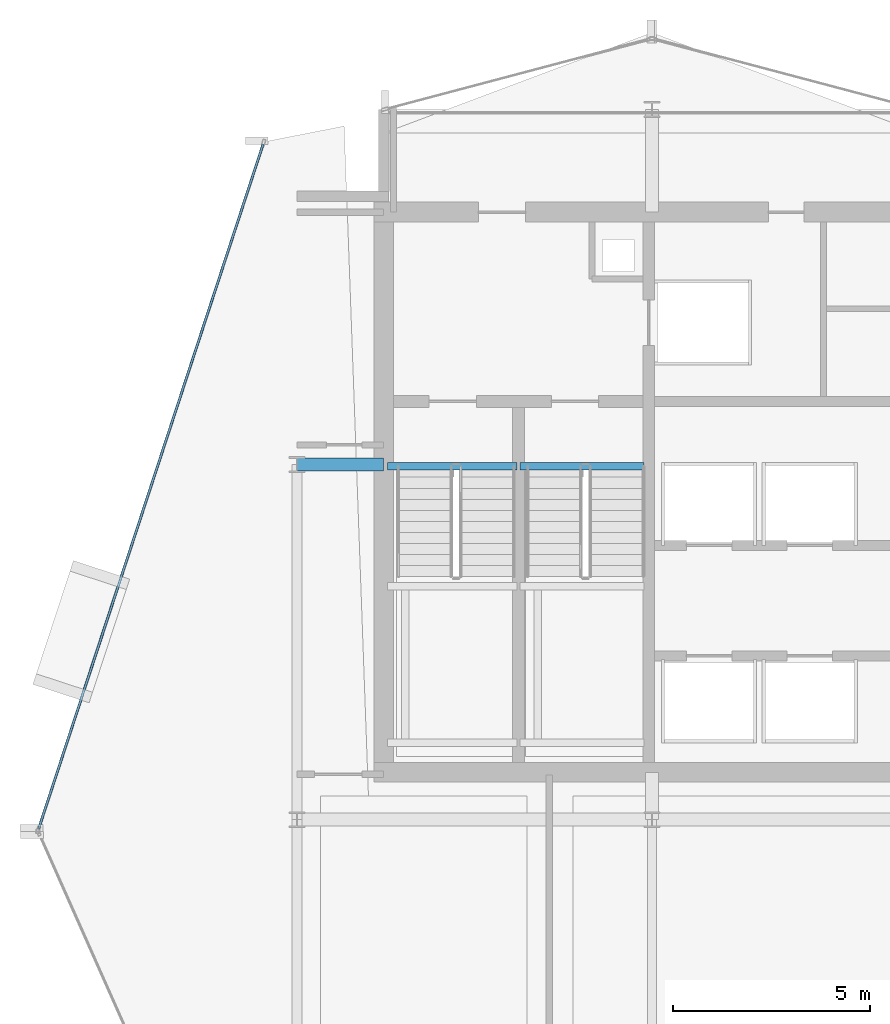
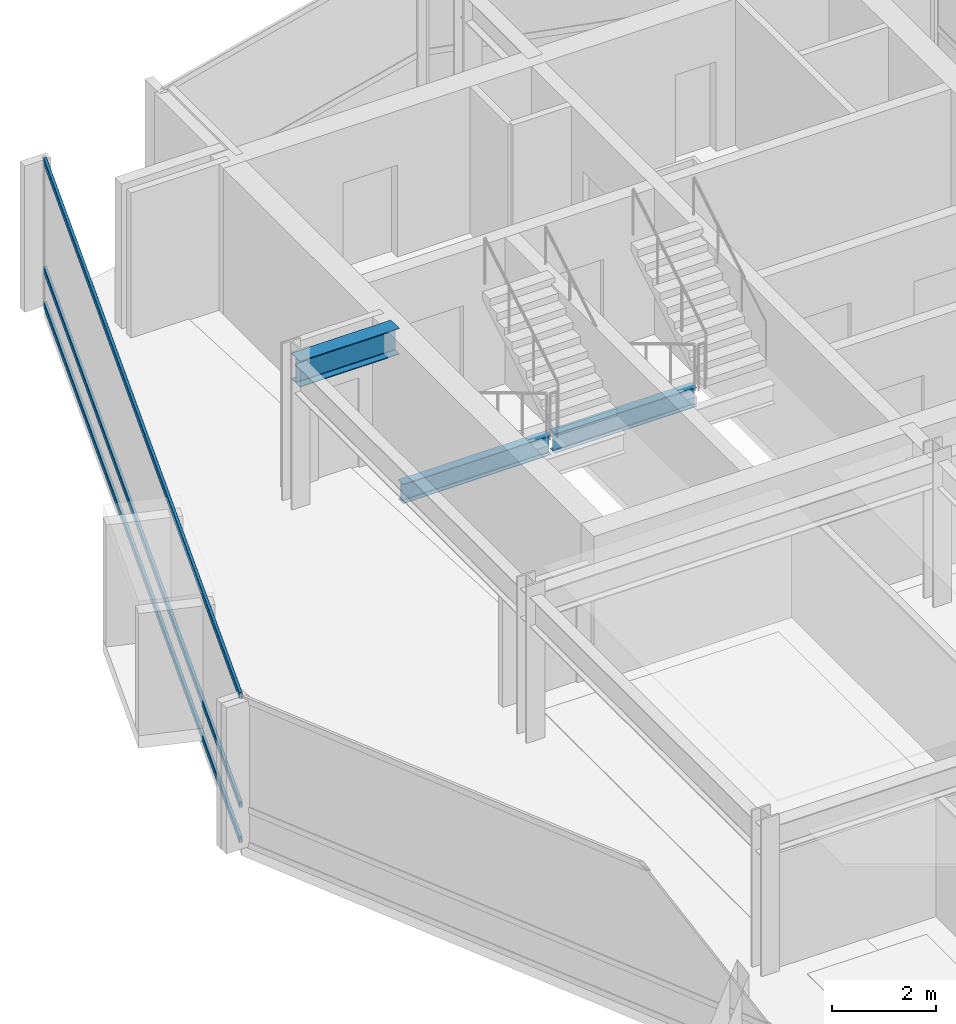
# One storey, part 15 of 27: 3 beams, 3 members, 1 element without a shape of its own.
"""IFC4 building model written with IfcOpenShell, lengths in metres."""

from ifc_helpers import new_model, si_unit, direction, frame, origin, origin_2d, place, context, subcontext, project, spatial, hollow_rectangle, i_section, extrude, material, layer, layer_set, material_profile, profile_set, type_object, element, aggregate, save


model = new_model("IFC4")

# Units and contexts
model_context = context("Model", 3, precision=1e-05, world=origin(), true_north=direction((0.0, 1.0)))
body_context = subcontext(model_context, "Body", "Model", "MODEL_VIEW")
ifc_project = project(units=[si_unit("LENGTHUNIT", "METRE"), si_unit("AREAUNIT", "SQUARE_METRE"), si_unit("VOLUMEUNIT", "CUBIC_METRE"), si_unit("PLANEANGLEUNIT", "RADIAN"), si_unit("MASSUNIT", "GRAM", prefix="KILO")], contexts=[model_context])

# Site, building, storey
site_placement = place(None, origin())
site = spatial("IfcSite", under=ifc_project, at=site_placement, CompositionType="ELEMENT")
building_placement = place(site_placement, origin())
building = spatial("IfcBuilding", under=site, at=building_placement, Name="Solvaryn Broadcast Tower", CompositionType="ELEMENT")
storey_placement = place(building_placement, frame((0.0, 0.0, 221.0)))
storey = spatial("IfcBuildingStorey", under=building, at=storey_placement, Name="L55", CompositionType="ELEMENT", Elevation=221.0)

# Beams
ifc_material_1 = material(Name="Steel ASTM A992 Grade 50", Category="steel")
ifc_material_profile_1 = material_profile(ifc_material_1, i_section(OverallWidth=0.323974609375, OverallDepth=0.611083984375, WebThickness=0.0126953125, FlangeThickness=0.01904296875, FilletRadius=0.014892578125, at=origin_2d()))
ifc_profile_set_1 = profile_set([ifc_material_profile_1], Name="Steel ASTM A992 Grade 50")
beam_type_1 = type_object("IfcBeamType", Name="BM-B1-W24X104", PredefinedType="BEAM", material=ifc_profile_set_1)
beam_1_placement = place(storey_placement, frame((9.0, 36.0, 3.114501953125), z_axis=(1.0, 0.0, 0.0), x_axis=(0.0, 1.0, 0.0)))
element("IfcBeam", 1, at=beam_1_placement, inside=storey, type_object=beam_type_1, Name="L55 Core Tie Beam CTW1", PredefinedType="BEAM", context=body_context, shape_type="SweptSolid", body=[
    extrude(i_section(OverallWidth=0.323974609375, OverallDepth=0.611083984375, WebThickness=0.0126953125, FlangeThickness=0.01904296875, FilletRadius=0.014892578125, at=origin_2d()), origin(), (0.0, 0.0, 1.0), 2.199951171875),
])
ifc_material_2 = material(Name="Steel ASTM A992 Grade 50", Category="steel")
ifc_material_profile_2 = material_profile(ifc_material_2, i_section(OverallWidth=0.18994140625, OverallDepth=0.45703125, WebThickness=0.009033203125, FlangeThickness=0.014404296875, FilletRadius=0.011962890625, at=origin_2d()))
ifc_profile_set_2 = profile_set([ifc_material_profile_2], Name="Steel ASTM A992 Grade 50")
beam_type_2 = type_object("IfcBeamType", Name="BM-B4-W18X50", PredefinedType="BEAM", material=ifc_profile_set_2)
beam_2_placement = place(storey_placement, frame((11.300048828125, 35.9599609375, -0.508544921875), z_axis=(1.0, 0.0, 0.0), x_axis=(0.0, 1.0, 0.0)))
element("IfcBeam", 2, at=beam_2_placement, inside=storey, type_object=beam_type_2, Name="L55 ST1 Stair Well Trimmer Beam", PredefinedType="BEAM", context=body_context, shape_type="SweptSolid", body=[
    extrude(i_section(OverallWidth=0.18994140625, OverallDepth=0.45703125, WebThickness=0.009033203125, FlangeThickness=0.014404296875, FilletRadius=0.011962890625, at=origin_2d()), origin(), (0.0, 0.0, 1.0), 3.280029296875),
])
beam_3_placement = place(storey_placement, frame((14.659912109375, 35.9599609375, -0.508544921875), z_axis=(1.0, 0.0, 0.0), x_axis=(0.0, 1.0, 0.0)))
element("IfcBeam", 3, at=beam_3_placement, inside=storey, type_object=beam_type_2, Name="L55 ST2 Stair Well Trimmer Beam", PredefinedType="BEAM", context=body_context, shape_type="SweptSolid", body=[
    extrude(i_section(OverallWidth=0.18994140625, OverallDepth=0.45703125, WebThickness=0.009033203125, FlangeThickness=0.014404296875, FilletRadius=0.011962890625, at=origin_2d()), origin(), (0.0, 0.0, 1.0), 3.14013671875),
])

# Curtain wall, members
ifc_material_3 = material(Name="Aluminium and Terracotta Unitised Curtain Wall", Category="masonry")
ifc_layer = layer(ifc_material_3, 0.199951171875)
ifc_layer_set = layer_set([ifc_layer], Name="CW-SYS2-LOWMID")
curtain_wall_type = type_object("IfcCurtainWallType", Name="CW-SYS2-LOWMID", PredefinedType="NOTDEFINED", material=ifc_layer_set)
curtain_wall_placement = place(storey_placement, origin())
curtain_wall = element("IfcCurtainWall", 4, at=curtain_wall_placement, inside=storey, type_object=curtain_wall_type, Name="L55 Curtain Wall DR1", PredefinedType="NOTDEFINED")
ifc_material_4 = material(Name="Anodised Aluminium 6063-T6", Category="aluminium")
ifc_material_profile_3 = material_profile(ifc_material_4, hollow_rectangle(XDim=0.06494140625, YDim=0.14990234375, WallThickness=0.00390625, InnerFilletRadius=0.00390625, OuterFilletRadius=0.008056640625, at=origin_2d()))
ifc_profile_set_3 = profile_set([ifc_material_profile_3], Name="Anodised Aluminium 6063-T6")
member_type = type_object("IfcMemberType", Name="CW-TRN-150", PredefinedType="USERDEFINED", material=ifc_profile_set_3)
member_1_placement = place(storey_placement, frame((8.144287109375, 44.125, 0.030029296875), z_axis=(-0.311557987209, -0.950227141586, 0.0), x_axis=(0.950227141586, -0.311557987209, 0.0)))
member_1 = element("IfcMember", 5, at=member_1_placement, type_object=member_type, Name="CWS2 transom 1.1", ObjectType="TRANSOM", PredefinedType="USERDEFINED", context=body_context, shape_type="SweptSolid", body=[
    extrude(hollow_rectangle(XDim=0.06494140625, YDim=0.14990234375, WallThickness=0.00390625, InnerFilletRadius=0.00390625, OuterFilletRadius=0.008056640625, at=origin_2d()), origin(), (0.0, 0.0, 1.0), 18.271484375),
])
member_2_placement = place(storey_placement, frame((8.144287109375, 44.125, 0.85009765625), z_axis=(-0.311557987209, -0.950227141586, 0.0), x_axis=(0.950227141586, -0.311557987209, 0.0)))
member_2 = element("IfcMember", 6, at=member_2_placement, type_object=member_type, Name="CWS2 transom 1.2", ObjectType="TRANSOM", PredefinedType="USERDEFINED", context=body_context, shape_type="SweptSolid", body=[
    extrude(hollow_rectangle(XDim=0.06494140625, YDim=0.14990234375, WallThickness=0.00390625, InnerFilletRadius=0.00390625, OuterFilletRadius=0.008056640625, at=origin_2d()), origin(), (0.0, 0.0, 1.0), 18.271484375),
])
member_3_placement = place(storey_placement, frame((8.144287109375, 44.125, 3.389892578125), z_axis=(-0.311557987209, -0.950227141586, 0.0), x_axis=(0.950227141586, -0.311557987209, 0.0)))
member_3 = element("IfcMember", 7, at=member_3_placement, type_object=member_type, Name="CWS2 transom 1.3", ObjectType="TRANSOM", PredefinedType="USERDEFINED", context=body_context, shape_type="SweptSolid", body=[
    extrude(hollow_rectangle(XDim=0.06494140625, YDim=0.14990234375, WallThickness=0.00390625, InnerFilletRadius=0.00390625, OuterFilletRadius=0.008056640625, at=origin_2d()), origin(), (0.0, 0.0, 1.0), 18.271484375),
])
aggregate(curtain_wall, [member_1, member_2, member_3])

save(model, "model.ifc")
